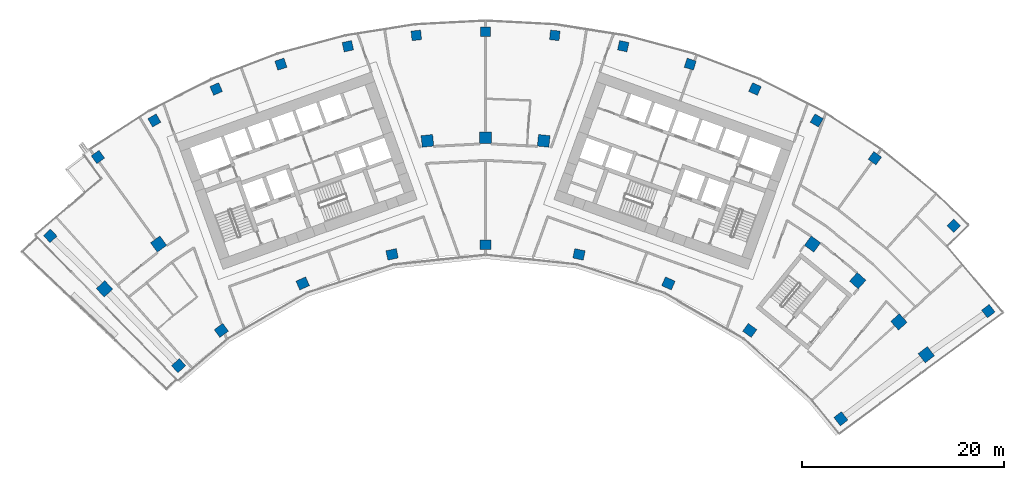
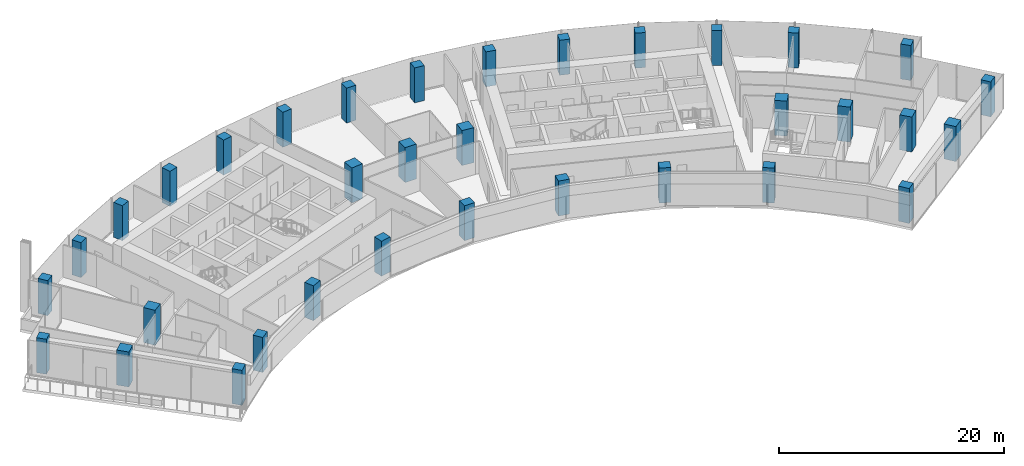
# One storey, part 1 of 20: 34 columns.
"""IFC4 building model written with IfcOpenShell, lengths in metres."""

from ifc_helpers import new_model, si_unit, direction, frame, origin, origin_2d, place, context, subcontext, project, spatial, rectangle, extrude, material, material_profile, profile_set, type_object, element, save


model = new_model("IFC4")

# Units and contexts
model_context = context("Model", 3, precision=1e-05, world=origin(), true_north=direction((0.0, 1.0)))
body_context = subcontext(model_context, "Body", "Model", "MODEL_VIEW")
ifc_project = project(units=[si_unit("LENGTHUNIT", "METRE"), si_unit("AREAUNIT", "SQUARE_METRE"), si_unit("VOLUMEUNIT", "CUBIC_METRE"), si_unit("PLANEANGLEUNIT", "RADIAN"), si_unit("MASSUNIT", "GRAM", prefix="KILO")], contexts=[model_context])

# Site, building, storey
site_placement = place(None, origin())
site = spatial("IfcSite", under=ifc_project, at=site_placement, CompositionType="ELEMENT")
building_placement = place(site_placement, origin())
building = spatial("IfcBuilding", under=site, at=building_placement, Name="Stone Belt Terrace Tower", CompositionType="ELEMENT")
storey_placement = place(building_placement, frame((0.0, 0.0, 216.199951171875)))
storey = spatial("IfcBuildingStorey", under=building, at=storey_placement, Name="L52", CompositionType="ELEMENT", Elevation=216.199951171875)

# Columns
ifc_material = material(Name="Concrete B60", Category="concrete")
ifc_material_profile_1 = material_profile(ifc_material, rectangle(XDim=1.050048828125, YDim=0.949951171875, at=origin_2d()), Name="RC 1050x950")
ifc_profile_set_1 = profile_set([ifc_material_profile_1], Name="Concrete B60")
column_type_1 = type_object("IfcColumnType", Name="Column RC 1050x950 B60", PredefinedType="COLUMN", material=ifc_profile_set_1)
for number, where, z_axis, x_axis, name in (
    (1, (-30.347412109375, 32.471435546875, 0.0), (0.0, 0.0, 1.0), (0.730599788141, 0.68280593844, 0.0), "Column L52 PA"),
    (2, (-26.1240234375, 35.956787109375, 0.0), (0.0, 0.0, 1.0), (0.809016994375, 0.587785252292, 0.0), "Column L52 P16"),
    (3, (-18.077392578125, 40.6025390625, 0.0), (0.0, 0.0, 1.0), (0.913545457643, 0.406736643076, 0.0), "Column L52 P18"),
    (4, (-9.240478515625, 43.473876953125, 0.0), (0.0, 0.0, 1.0), (0.978147600734, 0.207911690818, 0.0), "Column L52 P20"),
    (5, (0.0, 44.445068359375, 0.0), (0.0, 0.0, 1.0), (1.0, 0.0, 0.0), "Column L52 P22"),
    (6, (9.240478515625, 43.473876953125, 0.0), (0.0, 0.0, 1.0), (0.978147600734, -0.207911690818, 0.0), "Column L52 P24"),
    (7, (18.077392578125, 40.6025390625, 0.0), (0.0, 0.0, 1.0), (0.913545457643, -0.406736643076, 0.0), "Column L52 P26"),
    (8, (26.1240234375, 35.956787109375, 0.0), (0.0, 0.0, 1.0), (0.809016994375, -0.587785252292, 0.0), "Column L52 P28"),
    (9, (35.133056640625, 27.221923828125, 0.0), (0.0, 0.0, 1.0), (0.612484967582, -0.790482235402, 0.0), "Column L52 PB"),
):
    element("IfcColumn", number, at=place(storey_placement, frame(where, z_axis=z_axis, x_axis=x_axis)), inside=storey, type_object=column_type_1, Name=name, PredefinedType="COLUMN", context=body_context, shape_type="SweptSolid", body=[
        extrude(rectangle(XDim=1.050048828125, YDim=0.949951171875, at=origin_2d()), origin(), (0.0, 0.0, 1.0), 3.800048828125),
    ])
ifc_material_profile_2 = material_profile(ifc_material, rectangle(XDim=1.14990234375, YDim=1.14990234375, at=origin_2d()), Name="RC 1150x1150")
ifc_profile_set_2 = profile_set([ifc_material_profile_2], Name="Concrete B60")
column_type_2 = type_object("IfcColumnType", Name="Column RC 1150x1150 B60", PredefinedType="COLUMN", material=ifc_profile_set_2)
for number, where, z_axis, x_axis, name in (
    (10, (-37.67626953125, 40.068603515625, 0.0), (0.0, 0.0, 1.0), (0.728520436287, 0.685024068126, 0.0), "Column L52 QA"),
    (11, (-32.328125, 44.495849609375, 0.0), (0.0, 0.0, 1.0), (0.809016994375, 0.587785252292, 0.0), "Column L52 Q16"),
    (12, (-5.7490234375, 54.69873046875, 0.0), (0.0, 0.0, 1.0), (0.994521895368, 0.104528463268, 0.0), "Column L52 Q21"),
    (13, (0.0, 55.0, 0.0), (0.0, 0.0, 1.0), (1.0, 0.0, 0.0), "Column L52 Q22"),
    (14, (5.7490234375, 54.69873046875, 0.0), (0.0, 0.0, 1.0), (0.994521895368, -0.104528463268, 0.0), "Column L52 Q23"),
    (15, (32.328125, 44.495849609375, 0.0), (0.0, 0.0, 1.0), (0.809016994375, -0.587785252292, 0.0), "Column L52 Q28"),
    (16, (36.80224609375, 40.873046875, 0.0), (0.0, 0.0, 1.0), (0.743144825477, -0.669130606359, 0.0), "Column L52 Q29"),
    (17, (40.873046875, 36.80224609375, 0.0), (0.0, 0.0, 1.0), (0.669130606359, -0.743144825477, 0.0), "Column L52 Q30"),
    (18, (43.57861328125, 33.55419921875, 0.0), (0.0, 0.0, 1.0), (0.610078787058, -0.792340755977, 0.0), "Column L52 QB"),
):
    element("IfcColumn", number, at=place(storey_placement, frame(where, z_axis=z_axis, x_axis=x_axis)), inside=storey, type_object=column_type_2, Name=name, PredefinedType="COLUMN", context=body_context, shape_type="SweptSolid", body=[
        extrude(rectangle(XDim=1.14990234375, YDim=1.14990234375, at=origin_2d()), origin(), (0.0, 0.0, 1.0), 3.800048828125),
    ])
ifc_material_profile_3 = material_profile(ifc_material, rectangle(XDim=0.949951171875, YDim=0.949951171875, at=origin_2d()), Name="RC 950x950")
ifc_profile_set_3 = profile_set([ifc_material_profile_3], Name="Concrete B60")
column_type_3 = type_object("IfcColumnType", Name="Column RC 950x950 B60", PredefinedType="COLUMN", material=ifc_profile_set_3)
for number, where, z_axis, x_axis, name in (
    (19, (-43.0419921875, 45.3017578125, 0.0), (0.0, 0.0, 1.0), (0.724958552514, 0.688792492074, 0.0), "Column L52 RA"),
    (20, (49.70947265625, 37.86572265625, 0.0), (0.0, 0.0, 1.0), (0.605960632634, -0.795494633356, 0.0), "Column L52 RB"),
    (21, (-38.32568359375, 53.10302734375, 0.0), (0.0, 0.0, 1.0), (0.810869795087, 0.585226601767, 0.0), "Column L52 RNA"),
    (22, (-32.744384765625, 56.715087890625, 0.0), (0.0, 0.0, 1.0), (0.866025403784, 0.5, 0.0), "Column L52 R17"),
    (23, (-26.63671875, 59.8271484375, 0.0), (0.0, 0.0, 1.0), (0.913545457643, 0.406736643076, 0.0), "Column L52 R18"),
    (24, (-20.2373046875, 62.28369140625, 0.0), (0.0, 0.0, 1.0), (0.951056516295, 0.309016994375, 0.0), "Column L52 R19"),
    (25, (-13.615966796875, 64.057861328125, 0.0), (0.0, 0.0, 1.0), (0.978147600734, 0.207911690818, 0.0), "Column L52 R20"),
    (26, (-6.845458984375, 65.130126953125, 0.0), (0.0, 0.0, 1.0), (0.994521895368, 0.104528463268, 0.0), "Column L52 R21"),
    (27, (0.0, 65.489013671875, 0.0), (0.0, 0.0, 1.0), (1.0, 0.0, 0.0), "Column L52 R22"),
    (28, (6.845458984375, 65.130126953125, 0.0), (0.0, 0.0, 1.0), (0.994521895368, -0.104528463268, 0.0), "Column L52 R23"),
    (29, (13.615966796875, 64.057861328125, 0.0), (0.0, 0.0, 1.0), (0.978147600734, -0.207911690818, 0.0), "Column L52 R24"),
    (30, (20.2373046875, 62.28369140625, 0.0), (0.0, 0.0, 1.0), (0.951056516295, -0.309016994375, 0.0), "Column L52 R25"),
    (31, (26.63671875, 59.8271484375, 0.0), (0.0, 0.0, 1.0), (0.913545457643, -0.406736643076, 0.0), "Column L52 R26"),
    (32, (32.744384765625, 56.715087890625, 0.0), (0.0, 0.0, 1.0), (0.866025403784, -0.5, 0.0), "Column L52 R27"),
    (33, (38.493408203125, 52.981689453125, 0.0), (0.0, 0.0, 1.0), (0.809016994375, -0.587785252292, 0.0), "Column L52 R28"),
    (34, (46.29638671875, 46.318603515625, 0.0), (0.0, 0.0, 1.0), (0.707275837349, -0.706937684596, 0.0), "Column L52 RNB"),
):
    element("IfcColumn", number, at=place(storey_placement, frame(where, z_axis=z_axis, x_axis=x_axis)), inside=storey, type_object=column_type_3, Name=name, PredefinedType="COLUMN", context=body_context, shape_type="SweptSolid", body=[
        extrude(rectangle(XDim=0.949951171875, YDim=0.949951171875, at=origin_2d()), origin(), (0.0, 0.0, 1.0), 3.800048828125),
    ])

save(model, "model.ifc")
